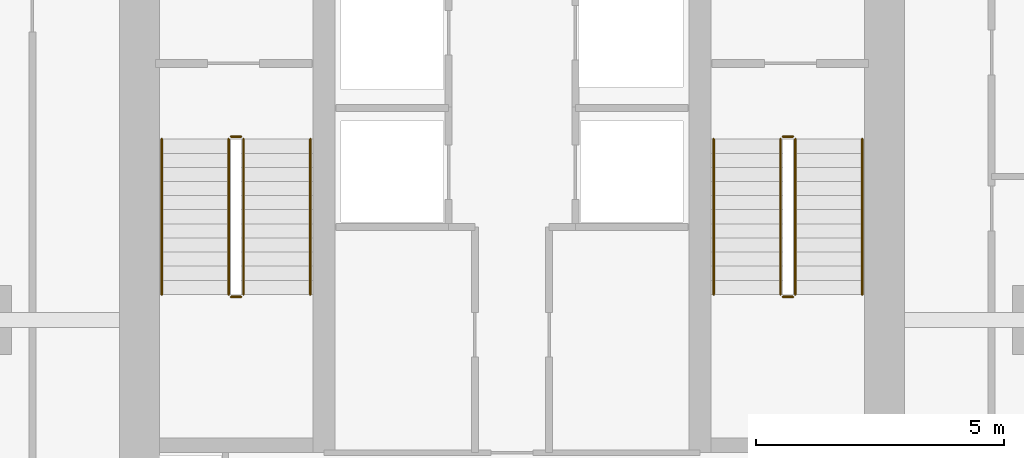
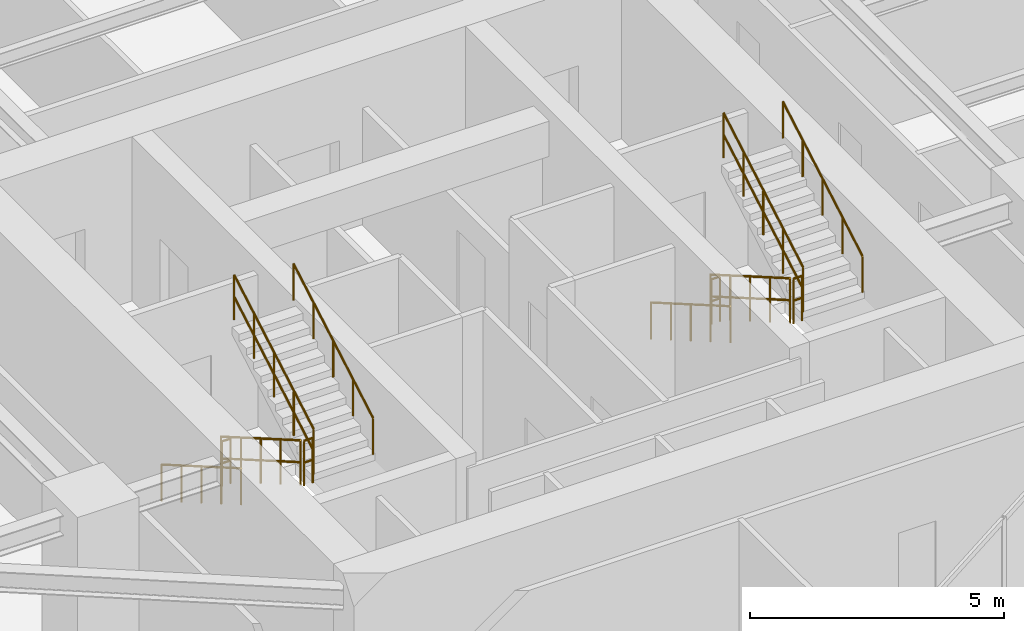
# One storey, part 19 of 20: 12 railings.
"""IFC4 building model written with IfcOpenShell, lengths in metres."""

import ifcopenshell
import ifcopenshell.guid

model = None  # the IFC model being written
_history = None  # IfcOwnerHistory: only IFC2X3 demands one
_inside = {}  # id of a spatial element -> (the spatial element, [elements in it])
_under = {}  # id of a project, library or spatial element -> (it, [spatial elements below it])
_declared = {}  # id of a project -> (the project, [libraries it declares])
_typed = {}  # id of a type object -> (the type object, [elements of that type])
_made_of = {}  # id of a material, layer set ... -> (it, [elements and type objects made of it])


def new_model(schema):
    """Start an empty IFC model of exactly this schema.

    Asked for "IFC4X3", IfcOpenShell would pick the latest addendum, in which some entities
    have other attributes; the version numbers below select the first issue.
    IFC2X3 requires an IfcOwnerHistory on every rooted entity: one is made here for all.
    """
    global model, _history
    if schema == "IFC4X3":
        model = ifcopenshell.file(schema_version=(4, 3, 0, 0))
    else:
        model = ifcopenshell.file(schema=schema)
    _inside.clear()
    _under.clear()
    _declared.clear()
    _typed.clear()
    _made_of.clear()
    _history = None
    if model.schema == "IFC2X3":
        org = make("IfcOrganization", Name="unknown")
        user = make(
            "IfcPersonAndOrganization",
            ThePerson=make("IfcPerson", FamilyName="unknown"),
            TheOrganization=org,
        )
        app = make(
            "IfcApplication",
            ApplicationDeveloper=org,
            Version="unknown",
            ApplicationFullName="unknown",
            ApplicationIdentifier="unknown",
        )
        _history = make(
            "IfcOwnerHistory",
            OwningUser=user,
            OwningApplication=app,
            ChangeAction="ADDED",
            CreationDate=0,
        )
    return model


def make(cls, **values):
    """One entity of the class cls with the attributes given. An attribute that is None is left unset."""
    return model.create_entity(
        cls, **{name: value for name, value in values.items() if value is not None}
    )


def rooted(cls, **values):
    """An entity with a GlobalId (a new one), such as an element, a storey or a relation."""
    return make(cls, GlobalId=ifcopenshell.guid.new(), OwnerHistory=_history, **values)


def si_unit(unit_type, name, prefix=None):
    """IfcSIUnit, for example si_unit("LENGTHUNIT", "METRE", prefix="MILLI")."""
    return make("IfcSIUnit", UnitType=unit_type, Prefix=prefix, Name=name)


def assignment(units):
    """IfcUnitAssignment: the units of a project."""
    return None if units is None else make("IfcUnitAssignment", Units=units)


def point(xyz):
    """IfcCartesianPoint."""
    return None if xyz is None else make("IfcCartesianPoint", Coordinates=xyz)


def direction(xyz):
    """IfcDirection."""
    return None if xyz is None else make("IfcDirection", DirectionRatios=xyz)


def frame(location, z_axis=None, x_axis=None):
    """IfcAxis2Placement3D, a coordinate frame: its origin and axes. An axis left out is left unset."""
    return make(
        "IfcAxis2Placement3D",
        Location=point(location),
        Axis=direction(z_axis),
        RefDirection=direction(x_axis),
    )


def frame_2d(location, x_axis=None):
    """IfcAxis2Placement2D, a coordinate frame in the plane: its origin and x axis."""
    return make(
        "IfcAxis2Placement2D", Location=point(location), RefDirection=direction(x_axis)
    )


def origin():
    """The frame at (0, 0, 0) with its axes left unset."""
    return frame((0.0, 0.0, 0.0))


def origin_2d():
    """The frame at (0, 0) in the plane with its x axis left unset."""
    return frame_2d((0.0, 0.0))


def place(relative_to, where):
    """IfcLocalPlacement: puts the frame where relative to a parent placement (None: the world)."""
    return make(
        "IfcLocalPlacement", PlacementRelTo=relative_to, RelativePlacement=where
    )


def context(
    kind, dimensions, precision=None, world=None, true_north=None, identifier=None
):
    """IfcGeometricRepresentationContext, for example the 3D "Model" context."""
    return make(
        "IfcGeometricRepresentationContext",
        ContextIdentifier=identifier,
        ContextType=kind,
        CoordinateSpaceDimension=dimensions,
        Precision=precision,
        WorldCoordinateSystem=world,
        TrueNorth=true_north,
    )


def subcontext(parent, identifier, kind, view, scale=None):
    """IfcGeometricRepresentationSubContext, for example "Body" below "Model"."""
    return make(
        "IfcGeometricRepresentationSubContext",
        ContextIdentifier=identifier,
        ContextType=kind,
        ParentContext=parent,
        TargetScale=scale,
        TargetView=view,
    )


def project(units=None, contexts=None):
    """IfcProject with its units and contexts."""
    return rooted(
        "IfcProject",
        Name="project",
        RepresentationContexts=contexts,
        UnitsInContext=assignment(units),
    )


def spatial(cls, under=None, at=None, **own):
    """A site, building, storey or space (cls), placed at a placement, below another one or the project."""
    s = rooted(cls, ObjectPlacement=at, **own)
    if under is not None:
        _under.setdefault(under.id(), (under, []))[1].append(s)
    return s


def profile(cls, at=None, kind="AREA", **sizes):
    """A parametric profile (cls). Its sizes go by their IFC names, for example OverallWidth=200.0."""
    return make(cls, ProfileType=kind, Position=at, **sizes)


def circle(**sizes):
    """IfcCircleProfileDef."""
    return profile("IfcCircleProfileDef", **sizes)


def extrude(swept, where, along, depth):
    """IfcExtrudedAreaSolid: the profile swept, set in the frame where, extruded along a direction by depth."""
    return make(
        "IfcExtrudedAreaSolid",
        SweptArea=swept,
        Position=where,
        ExtrudedDirection=direction(along),
        Depth=depth,
    )


def shape(context_of_items, identifier, shape_type, items):
    """IfcShapeRepresentation: the items that make up one representation, for example the "Body"."""
    return make(
        "IfcShapeRepresentation",
        ContextOfItems=context_of_items,
        RepresentationIdentifier=identifier,
        RepresentationType=shape_type,
        Items=items,
    )


def material(Name=None, Category=None):
    """IfcMaterial."""
    return make("IfcMaterial", Name=Name, Category=Category)


def layer(
    of_material, thickness, ventilated=None, Name=None, Category=None, Priority=None
):
    """IfcMaterialLayer: one layer of a wall or slab, of a material (None: an air gap)."""
    return make(
        "IfcMaterialLayer",
        Material=of_material,
        LayerThickness=thickness,
        IsVentilated=ventilated,
        Name=Name,
        Category=Category,
        Priority=Priority,
    )


def layer_set(layers, Name=None):
    """IfcMaterialLayerSet."""
    return make("IfcMaterialLayerSet", MaterialLayers=layers, LayerSetName=Name)


def made_of(thing, what):
    """Note that an element or type object is made of a material, layer set ...; save() writes the relation."""
    if what is not None:
        _made_of.setdefault(what.id(), (what, []))[1].append(thing)
    return thing


def type_object(cls, material=None, **own):
    """A type object (cls), such as IfcWallType, which elements share."""
    return made_of(rooted(cls, **own), material)


def element(
    cls,
    number,
    at=None,
    inside=None,
    cuts=None,
    type_object=None,
    material=None,
    context=None,
    identifier="Body",
    shape_type=None,
    held_by="IfcProductDefinitionShape",
    body=None,
    shapes=None,
    **own,
):
    """One element of the class cls, such as IfcWall. Its Tag is "e" and its number.

    at: its placement. inside: the storey or other place that contains it. cuts: it is an
    opening in that element (IfcRelVoidsElement). A single representation is given by context,
    identifier, shape_type and body (its items); several are given by shapes. held_by: the class
    of the entity that holds the representations. save() writes the other relations.
    """
    e = rooted(cls, Tag="e%d" % number, ObjectPlacement=at, **own)
    if body is not None:
        shapes = [shape(context, identifier, shape_type, body)]
    if shapes is not None:
        e.Representation = make(held_by, Representations=shapes)
    if inside is not None:
        _inside.setdefault(inside.id(), (inside, []))[1].append(e)
    if cuts is not None:
        rooted(
            "IfcRelVoidsElement", RelatingBuildingElement=cuts, RelatedOpeningElement=e
        )
    if type_object is not None:
        _typed.setdefault(type_object.id(), (type_object, []))[1].append(e)
    return made_of(e, material)


def aggregate(whole, parts):
    """IfcRelAggregates: a whole, such as a stair, and the parts it consists of."""
    return rooted("IfcRelAggregates", RelatingObject=whole, RelatedObjects=parts)


def save(model, path):
    """Write the relations noted so far, then the file.

    IfcRelAggregates (storeys below a building ...), IfcRelContainedInSpatialStructure (elements
    in a storey), IfcRelDefinesByType, IfcRelAssociatesMaterial and IfcRelDeclares: one each for
    every whole, place, type object, material and project.
    """
    for whole, parts in _under.values():
        aggregate(whole, parts)
    for where, things in _inside.values():
        rooted(
            "IfcRelContainedInSpatialStructure",
            RelatedElements=things,
            RelatingStructure=where,
        )
    for kind, things in _typed.values():
        rooted("IfcRelDefinesByType", RelatedObjects=things, RelatingType=kind)
    for what, things in _made_of.values():
        rooted("IfcRelAssociatesMaterial", RelatedObjects=things, RelatingMaterial=what)
    for by, libraries in _declared.values():
        rooted("IfcRelDeclares", RelatingContext=by, RelatedDefinitions=libraries)
    model.write(path)


model = new_model("IFC4")

# Units and contexts
model_context = context("Model", 3, precision=1e-05, world=origin(), true_north=direction((0.0, 1.0)))
body_context = subcontext(model_context, "Body", "Model", "MODEL_VIEW")
ifc_project = project(units=[si_unit("LENGTHUNIT", "METRE"), si_unit("AREAUNIT", "SQUARE_METRE"), si_unit("VOLUMEUNIT", "CUBIC_METRE"), si_unit("PLANEANGLEUNIT", "RADIAN"), si_unit("MASSUNIT", "GRAM", prefix="KILO")], contexts=[model_context])

# Site, building, storey
site_placement = place(None, origin())
site = spatial("IfcSite", under=ifc_project, at=site_placement, CompositionType="ELEMENT")
building_placement = place(site_placement, origin())
building = spatial("IfcBuilding", under=site, at=building_placement, Name="Krantzveldt Concourse Tower", CompositionType="ELEMENT")
storey_placement = place(building_placement, frame((0.0, 0.0, 283.199951171875)))
storey = spatial("IfcBuildingStorey", under=building, at=storey_placement, Name="L69", CompositionType="ELEMENT", Elevation=283.199951171875)

# Railings
ifc_material = material(Name="Stainless steel 316L", Category="steel")
ifc_layer_1 = layer(ifc_material, 0.06005859375, Name="Stainless steel 316L", Category="steel")
ifc_layer_set_1 = layer_set([ifc_layer_1], Name="Stainless steel 316L (RL-GUARD-1120)")
railing_type_1 = type_object("IfcRailingType", Name="RL-GUARD-1120", PredefinedType="GUARDRAIL", material=ifc_layer_set_1)
railing_1_placement = place(storey_placement, frame((30.280029296875, 19.550048828125, 0.16455078125)))
element("IfcRailing", 1, at=railing_1_placement, inside=storey, type_object=railing_type_1, Name="L69 ST-1 stair guard 1", PredefinedType="GUARDRAIL", context=body_context, shape_type="SweptSolid", body=[
    extrude(circle(Radius=0.02392578125, at=origin_2d()), frame((0.0, 0.0, 1.076171875), z_axis=(0.0, -0.865959834175, 0.500113552702), x_axis=(1.0, 0.0, 0.0)), (0.0, 0.0, 1.0), 3.620361328125),
    extrude(circle(Radius=0.02392578125, at=origin_2d()), frame((0.0, 0.0, 0.550048828125), z_axis=(0.0, -0.865959834175, 0.500113552702), x_axis=(1.0, 0.0, 0.0)), (0.0, 0.0, 1.0), 3.620361328125),
    extrude(circle(Radius=0.02099609375, at=origin_2d()), origin(), (0.0, 0.0, 1.0), 1.052001953125),
    extrude(circle(Radius=0.02099609375, at=origin_2d()), frame((0.0, -0.78369140625, 0.45263671875)), (0.0, 0.0, 1.0), 1.052001953125),
    extrude(circle(Radius=0.02099609375, at=origin_2d()), frame((0.0, -1.5673828125, 0.9052734375)), (0.0, 0.0, 1.0), 1.052001953125),
    extrude(circle(Radius=0.02099609375, at=origin_2d()), frame((0.0, -2.351318359375, 1.35791015625)), (0.0, 0.0, 1.0), 1.052001953125),
    extrude(circle(Radius=0.02099609375, at=origin_2d()), frame((0.0, -3.135009765625, 1.810546875)), (0.0, 0.0, 1.0), 1.052001953125),
])
railing_2_placement = place(storey_placement, frame((30.330078125, 16.364990234375, 1.97509765625)))
element("IfcRailing", 2, at=railing_2_placement, inside=storey, type_object=railing_type_1, Name="L69 ST-1 stair guard 2", PredefinedType="GUARDRAIL", context=body_context, shape_type="SweptSolid", body=[
    extrude(circle(Radius=0.02392578125, at=origin_2d()), frame((0.0, 0.0, 1.076171875), z_axis=(1.0, 0.0, 0.0), x_axis=(0.0, 1.0, 0.0)), (0.0, 0.0, 1.0), 0.199951171875),
    extrude(circle(Radius=0.02392578125, at=origin_2d()), frame((0.0, 0.0, 0.550048828125), z_axis=(1.0, 0.0, 0.0), x_axis=(0.0, 1.0, 0.0)), (0.0, 0.0, 1.0), 0.199951171875),
    extrude(circle(Radius=0.02099609375, at=origin_2d()), origin(), (0.0, 0.0, 1.0), 1.052001953125),
    extrude(circle(Radius=0.02099609375, at=origin_2d()), frame((0.199951171875, 0.0, 0.0)), (0.0, 0.0, 1.0), 1.052001953125),
])
railing_3_placement = place(storey_placement, frame((30.580078125, 16.4150390625, 2.1396484375)))
element("IfcRailing", 3, at=railing_3_placement, inside=storey, type_object=railing_type_1, Name="L69 ST-1 stair guard 3", PredefinedType="GUARDRAIL", context=body_context, shape_type="SweptSolid", body=[
    extrude(circle(Radius=0.02392578125, at=origin_2d()), frame((0.0, 0.0, 1.076171875), z_axis=(0.0, 0.865989039225, 0.500062979975), x_axis=(-1.0, 0.0, 0.0)), (0.0, 0.0, 1.0), 3.6201171875),
    extrude(circle(Radius=0.02392578125, at=origin_2d()), frame((0.0, 0.0, 0.550048828125), z_axis=(0.0, 0.865989039225, 0.500062979975), x_axis=(-1.0, 0.0, 0.0)), (0.0, 0.0, 1.0), 3.6201171875),
    extrude(circle(Radius=0.02099609375, at=origin_2d()), origin(), (0.0, 0.0, 1.0), 1.052001953125),
    extrude(circle(Radius=0.02099609375, at=origin_2d()), frame((0.0, 0.78369140625, 0.45263671875)), (0.0, 0.0, 1.0), 1.052001953125),
    extrude(circle(Radius=0.02099609375, at=origin_2d()), frame((0.0, 1.5673828125, 0.9052734375)), (0.0, 0.0, 1.0), 1.052001953125),
    extrude(circle(Radius=0.02099609375, at=origin_2d()), frame((0.0, 2.351318359375, 1.357666015625)), (0.0, 0.0, 1.0), 1.052001953125),
    extrude(circle(Radius=0.02099609375, at=origin_2d()), frame((0.0, 3.135009765625, 1.810302734375)), (0.0, 0.0, 1.0), 1.052001953125),
])
railing_4_placement = place(storey_placement, frame((30.330078125, 19.60009765625, 0.0)))
element("IfcRailing", 4, at=railing_4_placement, inside=storey, type_object=railing_type_1, Name="L69 ST-1 stair guard 4", PredefinedType="GUARDRAIL", context=body_context, shape_type="SweptSolid", body=[
    extrude(circle(Radius=0.02392578125, at=origin_2d()), frame((0.0, 0.0, 1.076171875), z_axis=(1.0, 0.0, 0.0), x_axis=(0.0, 1.0, 0.0)), (0.0, 0.0, 1.0), 0.199951171875),
    extrude(circle(Radius=0.02392578125, at=origin_2d()), frame((0.0, 0.0, 0.550048828125), z_axis=(1.0, 0.0, 0.0), x_axis=(0.0, 1.0, 0.0)), (0.0, 0.0, 1.0), 0.199951171875),
    extrude(circle(Radius=0.02099609375, at=origin_2d()), origin(), (0.0, 0.0, 1.0), 1.052001953125),
    extrude(circle(Radius=0.02099609375, at=origin_2d()), frame((0.199951171875, 0.0, 0.0)), (0.0, 0.0, 1.0), 1.052001953125),
])
railing_5_placement = place(storey_placement, frame((41.419921875, 19.550048828125, 0.16455078125)))
element("IfcRailing", 5, at=railing_5_placement, inside=storey, type_object=railing_type_1, Name="L69 ST-2 stair guard 1", PredefinedType="GUARDRAIL", context=body_context, shape_type="SweptSolid", body=[
    extrude(circle(Radius=0.02392578125, at=origin_2d()), frame((0.0, 0.0, 1.076171875), z_axis=(0.0, -0.865959834175, 0.500113552702), x_axis=(1.0, 0.0, 0.0)), (0.0, 0.0, 1.0), 3.620361328125),
    extrude(circle(Radius=0.02392578125, at=origin_2d()), frame((0.0, 0.0, 0.550048828125), z_axis=(0.0, -0.865959834175, 0.500113552702), x_axis=(1.0, 0.0, 0.0)), (0.0, 0.0, 1.0), 3.620361328125),
    extrude(circle(Radius=0.02099609375, at=origin_2d()), origin(), (0.0, 0.0, 1.0), 1.052001953125),
    extrude(circle(Radius=0.02099609375, at=origin_2d()), frame((0.0, -0.78369140625, 0.45263671875)), (0.0, 0.0, 1.0), 1.052001953125),
    extrude(circle(Radius=0.02099609375, at=origin_2d()), frame((0.0, -1.5673828125, 0.9052734375)), (0.0, 0.0, 1.0), 1.052001953125),
    extrude(circle(Radius=0.02099609375, at=origin_2d()), frame((0.0, -2.351318359375, 1.35791015625)), (0.0, 0.0, 1.0), 1.052001953125),
    extrude(circle(Radius=0.02099609375, at=origin_2d()), frame((0.0, -3.135009765625, 1.810546875)), (0.0, 0.0, 1.0), 1.052001953125),
])
railing_6_placement = place(storey_placement, frame((41.469970703125, 16.364990234375, 1.97509765625)))
element("IfcRailing", 6, at=railing_6_placement, inside=storey, type_object=railing_type_1, Name="L69 ST-2 stair guard 2", PredefinedType="GUARDRAIL", context=body_context, shape_type="SweptSolid", body=[
    extrude(circle(Radius=0.02392578125, at=origin_2d()), frame((0.0, 0.0, 1.076171875), z_axis=(1.0, 0.0, 0.0), x_axis=(0.0, 1.0, 0.0)), (0.0, 0.0, 1.0), 0.199951171875),
    extrude(circle(Radius=0.02392578125, at=origin_2d()), frame((0.0, 0.0, 0.550048828125), z_axis=(1.0, 0.0, 0.0), x_axis=(0.0, 1.0, 0.0)), (0.0, 0.0, 1.0), 0.199951171875),
    extrude(circle(Radius=0.02099609375, at=origin_2d()), origin(), (0.0, 0.0, 1.0), 1.052001953125),
    extrude(circle(Radius=0.02099609375, at=origin_2d()), frame((0.199951171875, 0.0, 0.0)), (0.0, 0.0, 1.0), 1.052001953125),
])
railing_7_placement = place(storey_placement, frame((41.719970703125, 16.4150390625, 2.1396484375)))
element("IfcRailing", 7, at=railing_7_placement, inside=storey, type_object=railing_type_1, Name="L69 ST-2 stair guard 3", PredefinedType="GUARDRAIL", context=body_context, shape_type="SweptSolid", body=[
    extrude(circle(Radius=0.02392578125, at=origin_2d()), frame((0.0, 0.0, 1.076171875), z_axis=(0.0, 0.865989039225, 0.500062979975), x_axis=(-1.0, 0.0, 0.0)), (0.0, 0.0, 1.0), 3.6201171875),
    extrude(circle(Radius=0.02392578125, at=origin_2d()), frame((0.0, 0.0, 0.550048828125), z_axis=(0.0, 0.865989039225, 0.500062979975), x_axis=(-1.0, 0.0, 0.0)), (0.0, 0.0, 1.0), 3.6201171875),
    extrude(circle(Radius=0.02099609375, at=origin_2d()), origin(), (0.0, 0.0, 1.0), 1.052001953125),
    extrude(circle(Radius=0.02099609375, at=origin_2d()), frame((0.0, 0.78369140625, 0.45263671875)), (0.0, 0.0, 1.0), 1.052001953125),
    extrude(circle(Radius=0.02099609375, at=origin_2d()), frame((0.0, 1.5673828125, 0.9052734375)), (0.0, 0.0, 1.0), 1.052001953125),
    extrude(circle(Radius=0.02099609375, at=origin_2d()), frame((0.0, 2.351318359375, 1.357666015625)), (0.0, 0.0, 1.0), 1.052001953125),
    extrude(circle(Radius=0.02099609375, at=origin_2d()), frame((0.0, 3.135009765625, 1.810302734375)), (0.0, 0.0, 1.0), 1.052001953125),
])
railing_8_placement = place(storey_placement, frame((41.469970703125, 19.60009765625, 0.0)))
element("IfcRailing", 8, at=railing_8_placement, inside=storey, type_object=railing_type_1, Name="L69 ST-2 stair guard 4", PredefinedType="GUARDRAIL", context=body_context, shape_type="SweptSolid", body=[
    extrude(circle(Radius=0.02392578125, at=origin_2d()), frame((0.0, 0.0, 1.076171875), z_axis=(1.0, 0.0, 0.0), x_axis=(0.0, 1.0, 0.0)), (0.0, 0.0, 1.0), 0.199951171875),
    extrude(circle(Radius=0.02392578125, at=origin_2d()), frame((0.0, 0.0, 0.550048828125), z_axis=(1.0, 0.0, 0.0), x_axis=(0.0, 1.0, 0.0)), (0.0, 0.0, 1.0), 0.199951171875),
    extrude(circle(Radius=0.02099609375, at=origin_2d()), origin(), (0.0, 0.0, 1.0), 1.052001953125),
    extrude(circle(Radius=0.02099609375, at=origin_2d()), frame((0.199951171875, 0.0, 0.0)), (0.0, 0.0, 1.0), 1.052001953125),
])
ifc_layer_2 = layer(ifc_material, 0.050048828125, Name="Stainless steel 316L", Category="steel")
ifc_layer_set_2 = layer_set([ifc_layer_2], Name="Stainless steel 316L (RL-HANDRAIL-920)")
railing_type_2 = type_object("IfcRailingType", Name="RL-HANDRAIL-920", PredefinedType="HANDRAIL", material=ifc_layer_set_2)
railing_9_placement = place(storey_placement, frame((28.929931640625, 19.550048828125, 0.16455078125)))
element("IfcRailing", 9, at=railing_9_placement, inside=storey, type_object=railing_type_2, Name="L69 ST-1 stair handrail 1", PredefinedType="HANDRAIL", context=body_context, shape_type="SweptSolid", body=[
    extrude(circle(Radius=0.02392578125, at=origin_2d()), frame((0.0, 0.0, 0.8759765625), z_axis=(0.0, -0.865959834175, 0.500113552702), x_axis=(1.0, 0.0, 0.0)), (0.0, 0.0, 1.0), 3.620361328125),
    extrude(circle(Radius=0.02099609375, at=origin_2d()), origin(), (0.0, 0.0, 1.0), 0.851806640625),
    extrude(circle(Radius=0.02099609375, at=origin_2d()), frame((0.0, -0.78369140625, 0.45263671875)), (0.0, 0.0, 1.0), 0.851806640625),
    extrude(circle(Radius=0.02099609375, at=origin_2d()), frame((0.0, -1.5673828125, 0.9052734375)), (0.0, 0.0, 1.0), 0.851806640625),
    extrude(circle(Radius=0.02099609375, at=origin_2d()), frame((0.0, -2.351318359375, 1.35791015625)), (0.0, 0.0, 1.0), 0.851806640625),
    extrude(circle(Radius=0.02099609375, at=origin_2d()), frame((0.0, -3.135009765625, 1.810546875)), (0.0, 0.0, 1.0), 0.851806640625),
])
railing_10_placement = place(storey_placement, frame((31.929931640625, 16.4150390625, 2.1396484375)))
element("IfcRailing", 10, at=railing_10_placement, inside=storey, type_object=railing_type_2, Name="L69 ST-1 stair handrail 2", PredefinedType="HANDRAIL", context=body_context, shape_type="SweptSolid", body=[
    extrude(circle(Radius=0.02392578125, at=origin_2d()), frame((0.0, 0.0, 0.8759765625), z_axis=(0.0, 0.865989039225, 0.500062979975), x_axis=(-1.0, 0.0, 0.0)), (0.0, 0.0, 1.0), 3.6201171875),
    extrude(circle(Radius=0.02099609375, at=origin_2d()), origin(), (0.0, 0.0, 1.0), 0.851806640625),
    extrude(circle(Radius=0.02099609375, at=origin_2d()), frame((0.0, 0.78369140625, 0.45263671875)), (0.0, 0.0, 1.0), 0.851806640625),
    extrude(circle(Radius=0.02099609375, at=origin_2d()), frame((0.0, 1.5673828125, 0.9052734375)), (0.0, 0.0, 1.0), 0.851806640625),
    extrude(circle(Radius=0.02099609375, at=origin_2d()), frame((0.0, 2.351318359375, 1.357666015625)), (0.0, 0.0, 1.0), 0.851806640625),
    extrude(circle(Radius=0.02099609375, at=origin_2d()), frame((0.0, 3.135009765625, 1.810302734375)), (0.0, 0.0, 1.0), 0.851806640625),
])
railing_11_placement = place(storey_placement, frame((40.070068359375, 19.550048828125, 0.16455078125)))
element("IfcRailing", 11, at=railing_11_placement, inside=storey, type_object=railing_type_2, Name="L69 ST-2 stair handrail 1", PredefinedType="HANDRAIL", context=body_context, shape_type="SweptSolid", body=[
    extrude(circle(Radius=0.02392578125, at=origin_2d()), frame((0.0, 0.0, 0.8759765625), z_axis=(0.0, -0.865959834175, 0.500113552702), x_axis=(1.0, 0.0, 0.0)), (0.0, 0.0, 1.0), 3.620361328125),
    extrude(circle(Radius=0.02099609375, at=origin_2d()), origin(), (0.0, 0.0, 1.0), 0.851806640625),
    extrude(circle(Radius=0.02099609375, at=origin_2d()), frame((0.0, -0.78369140625, 0.45263671875)), (0.0, 0.0, 1.0), 0.851806640625),
    extrude(circle(Radius=0.02099609375, at=origin_2d()), frame((0.0, -1.5673828125, 0.9052734375)), (0.0, 0.0, 1.0), 0.851806640625),
    extrude(circle(Radius=0.02099609375, at=origin_2d()), frame((0.0, -2.351318359375, 1.35791015625)), (0.0, 0.0, 1.0), 0.851806640625),
    extrude(circle(Radius=0.02099609375, at=origin_2d()), frame((0.0, -3.135009765625, 1.810546875)), (0.0, 0.0, 1.0), 0.851806640625),
])
railing_12_placement = place(storey_placement, frame((43.070068359375, 16.4150390625, 2.1396484375)))
element("IfcRailing", 12, at=railing_12_placement, inside=storey, type_object=railing_type_2, Name="L69 ST-2 stair handrail 2", PredefinedType="HANDRAIL", context=body_context, shape_type="SweptSolid", body=[
    extrude(circle(Radius=0.02392578125, at=origin_2d()), frame((0.0, 0.0, 0.8759765625), z_axis=(0.0, 0.865989039225, 0.500062979975), x_axis=(-1.0, 0.0, 0.0)), (0.0, 0.0, 1.0), 3.6201171875),
    extrude(circle(Radius=0.02099609375, at=origin_2d()), origin(), (0.0, 0.0, 1.0), 0.851806640625),
    extrude(circle(Radius=0.02099609375, at=origin_2d()), frame((0.0, 0.78369140625, 0.45263671875)), (0.0, 0.0, 1.0), 0.851806640625),
    extrude(circle(Radius=0.02099609375, at=origin_2d()), frame((0.0, 1.5673828125, 0.9052734375)), (0.0, 0.0, 1.0), 0.851806640625),
    extrude(circle(Radius=0.02099609375, at=origin_2d()), frame((0.0, 2.351318359375, 1.357666015625)), (0.0, 0.0, 1.0), 0.851806640625),
    extrude(circle(Radius=0.02099609375, at=origin_2d()), frame((0.0, 3.135009765625, 1.810302734375)), (0.0, 0.0, 1.0), 0.851806640625),
])

save(model, "model.ifc")
